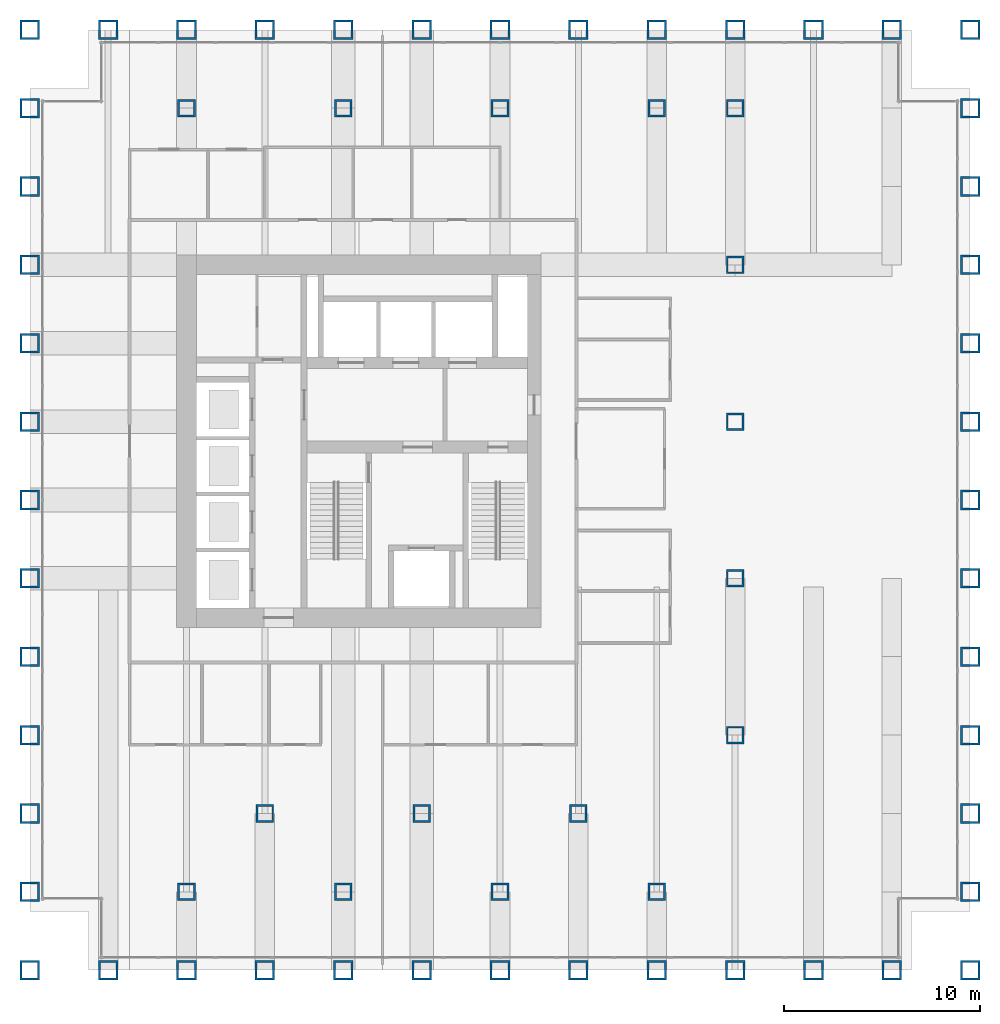
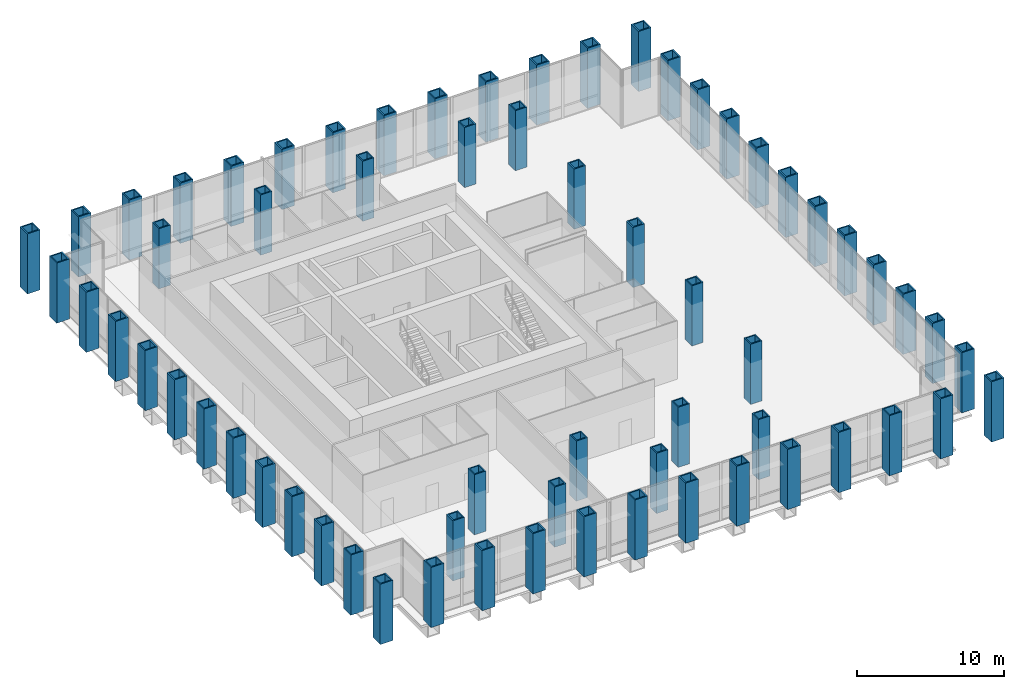
# One storey, part 1 of 16: 64 columns.
"""IFC4 building model written with IfcOpenShell, lengths in metres."""

from ifc_helpers import new_model, si_unit, direction, frame, origin, origin_2d, place, context, subcontext, project, spatial, hollow_rectangle, extrude, material, material_profile, profile_set, type_object, element, save


model = new_model("IFC4")

# Units and contexts
model_context = context("Model", 3, precision=1e-05, world=origin(), true_north=direction((0.0, 1.0)))
body_context = subcontext(model_context, "Body", "Model", "MODEL_VIEW")
ifc_project = project(units=[si_unit("LENGTHUNIT", "METRE"), si_unit("AREAUNIT", "SQUARE_METRE"), si_unit("VOLUMEUNIT", "CUBIC_METRE"), si_unit("PLANEANGLEUNIT", "RADIAN"), si_unit("MASSUNIT", "GRAM", prefix="KILO")], contexts=[model_context])

# Site, building, storey
site_placement = place(None, origin())
site = spatial("IfcSite", under=ifc_project, at=site_placement, CompositionType="ELEMENT")
building_placement = place(site_placement, origin())
building = spatial("IfcBuilding", under=site, at=building_placement, Name="Rimbunsela Tower", CompositionType="ELEMENT")
storey_placement = place(building_placement, frame((0.0, 0.0, 76.39990234375)))
storey = spatial("IfcBuildingStorey", under=building, at=storey_placement, Name="L18", CompositionType="ELEMENT", Elevation=76.39990234375)

# Columns
ifc_material_1 = material(Name="Steel BJ 55 (fy 410 MPa)", Category="steel")
ifc_material_profile_1 = material_profile(ifc_material_1, hollow_rectangle(XDim=1.0, YDim=1.0, WallThickness=0.10009765625, at=origin_2d()), Name="BOX 1000x1000x100")
ifc_profile_set_1 = profile_set([ifc_material_profile_1], Name="Steel BJ 55 (fy 410 MPa)")
column_type_1 = type_object("IfcColumnType", Name="Column BOX 1000x1000x100", PredefinedType="COLUMN", material=ifc_profile_set_1)
for number, where, z_axis, x_axis, name in (
    (1, (10.0, 0.0, 0.0), (0.0, 0.0, 1.0), (1.0, 0.0, 0.0), "Column C1 5/B L18"),
    (2, (10.0, 4.0, 0.0), (0.0, 0.0, 1.0), (1.0, 0.0, 0.0), "Column C1 5/C L18"),
    (3, (10.0, 8.0, 0.0), (0.0, 0.0, 1.0), (1.0, 0.0, 0.0), "Column C1 5/D L18"),
    (4, (10.0, 12.0, 0.0), (0.0, 0.0, 1.0), (1.0, 0.0, 0.0), "Column C1 5/E L18"),
    (5, (10.0, 16.0, 0.0), (0.0, 0.0, 1.0), (1.0, 0.0, 0.0), "Column C1 5/F L18"),
    (6, (10.0, 20.0, 0.0), (0.0, 0.0, 1.0), (1.0, 0.0, 0.0), "Column C1 5/G L18"),
    (7, (10.0, 24.0, 0.0), (0.0, 0.0, 1.0), (1.0, 0.0, 0.0), "Column C1 5/H L18"),
    (8, (10.0, 28.0, 0.0), (0.0, 0.0, 1.0), (1.0, 0.0, 0.0), "Column C1 5/J L18"),
    (9, (10.0, 32.0, 0.0), (0.0, 0.0, 1.0), (1.0, 0.0, 0.0), "Column C1 5/K L18"),
    (10, (10.0, 36.0, 0.0), (0.0, 0.0, 1.0), (1.0, 0.0, 0.0), "Column C1 5/L L18"),
    (11, (10.0, 40.0, 0.0), (0.0, 0.0, 1.0), (1.0, 0.0, 0.0), "Column C1 5/M L18"),
    (12, (10.0, 44.0, 0.0), (0.0, 0.0, 1.0), (1.0, 0.0, 0.0), "Column C1 5/N L18"),
    (13, (10.0, 48.0, 0.0), (0.0, 0.0, 1.0), (1.0, 0.0, 0.0), "Column C1 5/P L18"),
    (14, (14.0, 0.0, 0.0), (0.0, 0.0, 1.0), (1.0, 0.0, 0.0), "Column C1 6/B L18"),
    (15, (14.0, 48.0, 0.0), (0.0, 0.0, 1.0), (1.0, 0.0, 0.0), "Column C1 6/P L18"),
    (16, (18.0, 0.0, 0.0), (0.0, 0.0, 1.0), (1.0, 0.0, 0.0), "Column C1 7/B L18"),
    (17, (18.0, 48.0, 0.0), (0.0, 0.0, 1.0), (1.0, 0.0, 0.0), "Column C1 7/P L18"),
    (18, (22.0, 0.0, 0.0), (0.0, 0.0, 1.0), (1.0, 0.0, 0.0), "Column C1 8/B L18"),
    (19, (22.0, 48.0, 0.0), (0.0, 0.0, 1.0), (1.0, 0.0, 0.0), "Column C1 8/P L18"),
    (20, (26.0, 0.0, 0.0), (0.0, 0.0, 1.0), (1.0, 0.0, 0.0), "Column C1 9/B L18"),
    (21, (26.0, 48.0, 0.0), (0.0, 0.0, 1.0), (1.0, 0.0, 0.0), "Column C1 9/P L18"),
    (22, (30.0, 0.0, 0.0), (0.0, 0.0, 1.0), (1.0, 0.0, 0.0), "Column C1 10/B L18"),
    (23, (30.0, 48.0, 0.0), (0.0, 0.0, 1.0), (1.0, 0.0, 0.0), "Column C1 10/P L18"),
    (24, (34.0, 0.0, 0.0), (0.0, 0.0, 1.0), (1.0, 0.0, 0.0), "Column C1 11/B L18"),
    (25, (34.0, 48.0, 0.0), (0.0, 0.0, 1.0), (1.0, 0.0, 0.0), "Column C1 11/P L18"),
    (26, (38.0, 0.0, 0.0), (0.0, 0.0, 1.0), (1.0, 0.0, 0.0), "Column C1 12/B L18"),
    (27, (38.0, 48.0, 0.0), (0.0, 0.0, 1.0), (1.0, 0.0, 0.0), "Column C1 12/P L18"),
    (28, (42.0, 0.0, 0.0), (0.0, 0.0, 1.0), (1.0, 0.0, 0.0), "Column C1 13/B L18"),
    (29, (42.0, 48.0, 0.0), (0.0, 0.0, 1.0), (1.0, 0.0, 0.0), "Column C1 13/P L18"),
    (30, (46.0, 0.0, 0.0), (0.0, 0.0, 1.0), (1.0, 0.0, 0.0), "Column C1 14/B L18"),
    (31, (46.0, 48.0, 0.0), (0.0, 0.0, 1.0), (1.0, 0.0, 0.0), "Column C1 14/P L18"),
    (32, (50.0, 0.0, 0.0), (0.0, 0.0, 1.0), (1.0, 0.0, 0.0), "Column C1 15/B L18"),
    (33, (50.0, 48.0, 0.0), (0.0, 0.0, 1.0), (1.0, 0.0, 0.0), "Column C1 15/P L18"),
    (34, (54.0, 0.0, 0.0), (0.0, 0.0, 1.0), (1.0, 0.0, 0.0), "Column C1 16/B L18"),
    (35, (54.0, 48.0, 0.0), (0.0, 0.0, 1.0), (1.0, 0.0, 0.0), "Column C1 16/P L18"),
    (36, (58.0, 0.0, 0.0), (0.0, 0.0, 1.0), (1.0, 0.0, 0.0), "Column C1 17/B L18"),
    (37, (58.0, 4.0, 0.0), (0.0, 0.0, 1.0), (1.0, 0.0, 0.0), "Column C1 17/C L18"),
    (38, (58.0, 8.0, 0.0), (0.0, 0.0, 1.0), (1.0, 0.0, 0.0), "Column C1 17/D L18"),
    (39, (58.0, 12.0, 0.0), (0.0, 0.0, 1.0), (1.0, 0.0, 0.0), "Column C1 17/E L18"),
    (40, (58.0, 16.0, 0.0), (0.0, 0.0, 1.0), (1.0, 0.0, 0.0), "Column C1 17/F L18"),
    (41, (58.0, 20.0, 0.0), (0.0, 0.0, 1.0), (1.0, 0.0, 0.0), "Column C1 17/G L18"),
    (42, (58.0, 24.0, 0.0), (0.0, 0.0, 1.0), (1.0, 0.0, 0.0), "Column C1 17/H L18"),
    (43, (58.0, 28.0, 0.0), (0.0, 0.0, 1.0), (1.0, 0.0, 0.0), "Column C1 17/J L18"),
    (44, (58.0, 32.0, 0.0), (0.0, 0.0, 1.0), (1.0, 0.0, 0.0), "Column C1 17/K L18"),
    (45, (58.0, 36.0, 0.0), (0.0, 0.0, 1.0), (1.0, 0.0, 0.0), "Column C1 17/L L18"),
    (46, (58.0, 40.0, 0.0), (0.0, 0.0, 1.0), (1.0, 0.0, 0.0), "Column C1 17/M L18"),
    (47, (58.0, 44.0, 0.0), (0.0, 0.0, 1.0), (1.0, 0.0, 0.0), "Column C1 17/N L18"),
    (48, (58.0, 48.0, 0.0), (0.0, 0.0, 1.0), (1.0, 0.0, 0.0), "Column C1 17/P L18"),
):
    element("IfcColumn", number, at=place(storey_placement, frame(where, z_axis=z_axis, x_axis=x_axis)), inside=storey, type_object=column_type_1, Name=name, PredefinedType="COLUMN", context=body_context, shape_type="SweptSolid", body=[
        extrude(hollow_rectangle(XDim=1.0, YDim=1.0, WallThickness=0.10009765625, at=origin_2d()), origin(), (0.0, 0.0, 1.0), 5.0),
    ])
ifc_material_2 = material(Name="Steel BJ 55 (fy 410 MPa)", Category="steel")
ifc_material_profile_2 = material_profile(ifc_material_2, hollow_rectangle(XDim=0.89990234375, YDim=0.89990234375, WallThickness=0.10009765625, at=origin_2d()), Name="BOX 900x900x100")
ifc_profile_set_2 = profile_set([ifc_material_profile_2], Name="Steel BJ 55 (fy 410 MPa)")
column_type_2 = type_object("IfcColumnType", Name="Column BOX 900x900x100", PredefinedType="COLUMN", material=ifc_profile_set_2)
for number, where, z_axis, x_axis, name in (
    (49, (18.0, 4.0, 0.0), (0.0, 0.0, 1.0), (1.0, 0.0, 0.0), "Column C5 7/C L18"),
    (50, (18.0, 44.0, 0.0), (0.0, 0.0, 1.0), (1.0, 0.0, 0.0), "Column C5 7/N L18"),
    (51, (22.0, 8.0, 0.0), (0.0, 0.0, 1.0), (1.0, 0.0, 0.0), "Column C5 8/D L18"),
    (52, (26.0, 4.0, 0.0), (0.0, 0.0, 1.0), (1.0, 0.0, 0.0), "Column C5 9/C L18"),
    (53, (26.0, 44.0, 0.0), (0.0, 0.0, 1.0), (1.0, 0.0, 0.0), "Column C5 9/N L18"),
    (54, (30.0, 8.0, 0.0), (0.0, 0.0, 1.0), (1.0, 0.0, 0.0), "Column C5 10/D L18"),
    (55, (34.0, 4.0, 0.0), (0.0, 0.0, 1.0), (1.0, 0.0, 0.0), "Column C5 11/C L18"),
    (56, (34.0, 44.0, 0.0), (0.0, 0.0, 1.0), (1.0, 0.0, 0.0), "Column C5 11/N L18"),
    (57, (38.0, 8.0, 0.0), (0.0, 0.0, 1.0), (1.0, 0.0, 0.0), "Column C5 12/D L18"),
    (58, (42.0, 4.0, 0.0), (0.0, 0.0, 1.0), (1.0, 0.0, 0.0), "Column C5 13/C L18"),
    (59, (42.0, 44.0, 0.0), (0.0, 0.0, 1.0), (1.0, 0.0, 0.0), "Column C5 13/N L18"),
    (60, (46.0, 12.0, 0.0), (0.0, 0.0, 1.0), (1.0, 0.0, 0.0), "Column C5 14/E L18"),
    (61, (46.0, 20.0, 0.0), (0.0, 0.0, 1.0), (1.0, 0.0, 0.0), "Column C5 14/G L18"),
    (62, (46.0, 28.0, 0.0), (0.0, 0.0, 1.0), (1.0, 0.0, 0.0), "Column C5 14/J L18"),
    (63, (46.0, 36.0, 0.0), (0.0, 0.0, 1.0), (1.0, 0.0, 0.0), "Column C5 14/L L18"),
    (64, (46.0, 44.0, 0.0), (0.0, 0.0, 1.0), (1.0, 0.0, 0.0), "Column C5 14/N L18"),
):
    element("IfcColumn", number, at=place(storey_placement, frame(where, z_axis=z_axis, x_axis=x_axis)), inside=storey, type_object=column_type_2, Name=name, PredefinedType="COLUMN", context=body_context, shape_type="SweptSolid", body=[
        extrude(hollow_rectangle(XDim=0.89990234375, YDim=0.89990234375, WallThickness=0.10009765625, at=origin_2d()), origin(), (0.0, 0.0, 1.0), 5.0),
    ])

save(model, "model.ifc")
